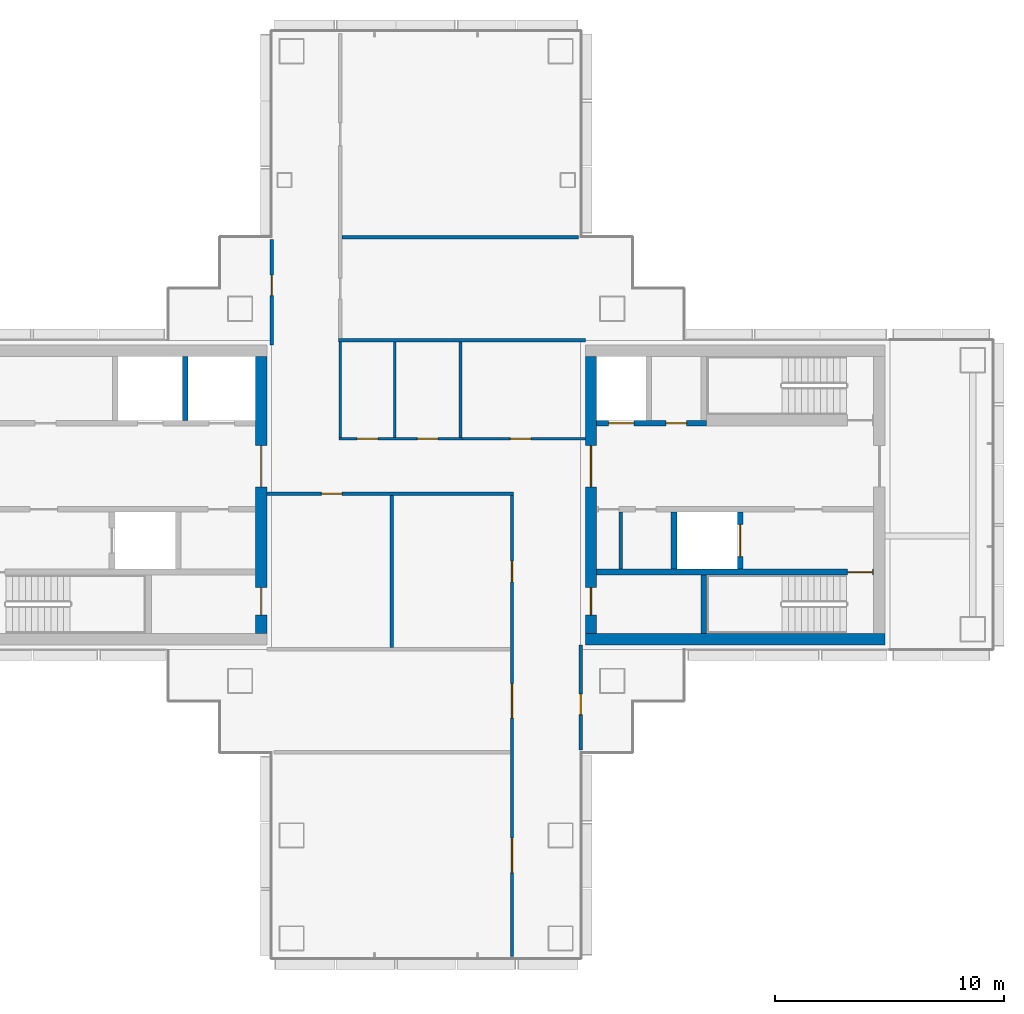
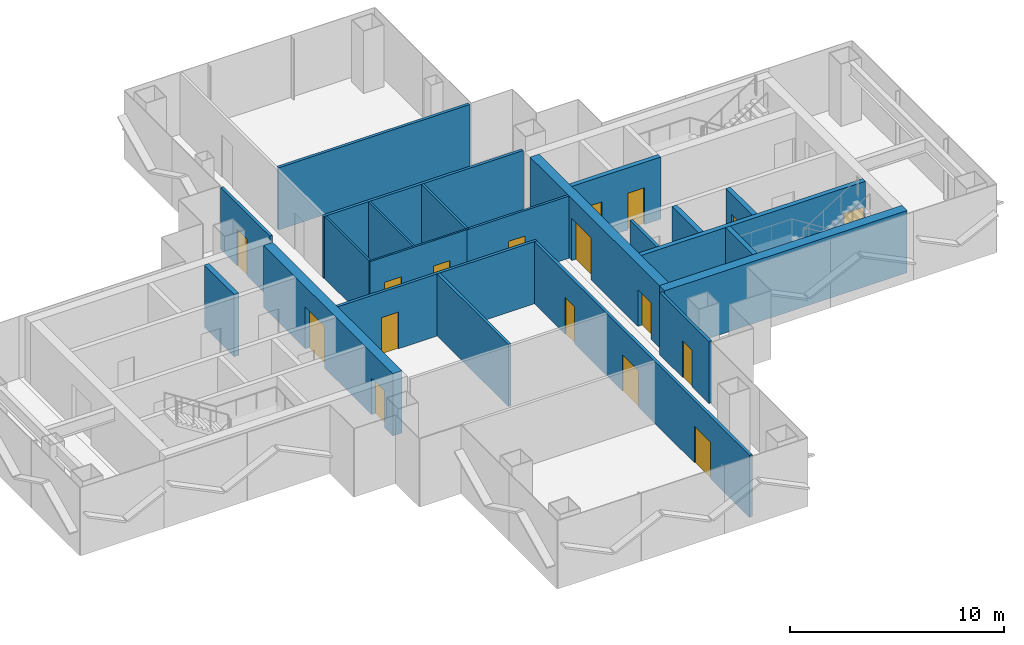
# One storey, part 11 of 16: 22 walls, 17 doors, 17 openings.
"""IFC4 building model written with IfcOpenShell, lengths in metres."""

import ifcopenshell
import ifcopenshell.guid

model = None  # the IFC model being written
_history = None  # IfcOwnerHistory: only IFC2X3 demands one
_inside = {}  # id of a spatial element -> (the spatial element, [elements in it])
_under = {}  # id of a project, library or spatial element -> (it, [spatial elements below it])
_declared = {}  # id of a project -> (the project, [libraries it declares])
_typed = {}  # id of a type object -> (the type object, [elements of that type])
_made_of = {}  # id of a material, layer set ... -> (it, [elements and type objects made of it])


def new_model(schema):
    """Start an empty IFC model of exactly this schema.

    Asked for "IFC4X3", IfcOpenShell would pick the latest addendum, in which some entities
    have other attributes; the version numbers below select the first issue.
    IFC2X3 requires an IfcOwnerHistory on every rooted entity: one is made here for all.
    """
    global model, _history
    if schema == "IFC4X3":
        model = ifcopenshell.file(schema_version=(4, 3, 0, 0))
    else:
        model = ifcopenshell.file(schema=schema)
    _inside.clear()
    _under.clear()
    _declared.clear()
    _typed.clear()
    _made_of.clear()
    _history = None
    if model.schema == "IFC2X3":
        org = make("IfcOrganization", Name="unknown")
        user = make(
            "IfcPersonAndOrganization",
            ThePerson=make("IfcPerson", FamilyName="unknown"),
            TheOrganization=org,
        )
        app = make(
            "IfcApplication",
            ApplicationDeveloper=org,
            Version="unknown",
            ApplicationFullName="unknown",
            ApplicationIdentifier="unknown",
        )
        _history = make(
            "IfcOwnerHistory",
            OwningUser=user,
            OwningApplication=app,
            ChangeAction="ADDED",
            CreationDate=0,
        )
    return model


def make(cls, **values):
    """One entity of the class cls with the attributes given. An attribute that is None is left unset."""
    return model.create_entity(
        cls, **{name: value for name, value in values.items() if value is not None}
    )


def rooted(cls, **values):
    """An entity with a GlobalId (a new one), such as an element, a storey or a relation."""
    return make(cls, GlobalId=ifcopenshell.guid.new(), OwnerHistory=_history, **values)


def si_unit(unit_type, name, prefix=None):
    """IfcSIUnit, for example si_unit("LENGTHUNIT", "METRE", prefix="MILLI")."""
    return make("IfcSIUnit", UnitType=unit_type, Prefix=prefix, Name=name)


def assignment(units):
    """IfcUnitAssignment: the units of a project."""
    return None if units is None else make("IfcUnitAssignment", Units=units)


def point(xyz):
    """IfcCartesianPoint."""
    return None if xyz is None else make("IfcCartesianPoint", Coordinates=xyz)


def direction(xyz):
    """IfcDirection."""
    return None if xyz is None else make("IfcDirection", DirectionRatios=xyz)


def frame(location, z_axis=None, x_axis=None):
    """IfcAxis2Placement3D, a coordinate frame: its origin and axes. An axis left out is left unset."""
    return make(
        "IfcAxis2Placement3D",
        Location=point(location),
        Axis=direction(z_axis),
        RefDirection=direction(x_axis),
    )


def frame_2d(location, x_axis=None):
    """IfcAxis2Placement2D, a coordinate frame in the plane: its origin and x axis."""
    return make(
        "IfcAxis2Placement2D", Location=point(location), RefDirection=direction(x_axis)
    )


def origin():
    """The frame at (0, 0, 0) with its axes left unset."""
    return frame((0.0, 0.0, 0.0))


def place(relative_to, where):
    """IfcLocalPlacement: puts the frame where relative to a parent placement (None: the world)."""
    return make(
        "IfcLocalPlacement", PlacementRelTo=relative_to, RelativePlacement=where
    )


def context(
    kind, dimensions, precision=None, world=None, true_north=None, identifier=None
):
    """IfcGeometricRepresentationContext, for example the 3D "Model" context."""
    return make(
        "IfcGeometricRepresentationContext",
        ContextIdentifier=identifier,
        ContextType=kind,
        CoordinateSpaceDimension=dimensions,
        Precision=precision,
        WorldCoordinateSystem=world,
        TrueNorth=true_north,
    )


def subcontext(parent, identifier, kind, view, scale=None):
    """IfcGeometricRepresentationSubContext, for example "Body" below "Model"."""
    return make(
        "IfcGeometricRepresentationSubContext",
        ContextIdentifier=identifier,
        ContextType=kind,
        ParentContext=parent,
        TargetScale=scale,
        TargetView=view,
    )


def project(units=None, contexts=None):
    """IfcProject with its units and contexts."""
    return rooted(
        "IfcProject",
        Name="project",
        RepresentationContexts=contexts,
        UnitsInContext=assignment(units),
    )


def spatial(cls, under=None, at=None, **own):
    """A site, building, storey or space (cls), placed at a placement, below another one or the project."""
    s = rooted(cls, ObjectPlacement=at, **own)
    if under is not None:
        _under.setdefault(under.id(), (under, []))[1].append(s)
    return s


def profile(cls, at=None, kind="AREA", **sizes):
    """A parametric profile (cls). Its sizes go by their IFC names, for example OverallWidth=200.0."""
    return make(cls, ProfileType=kind, Position=at, **sizes)


def rectangle(**sizes):
    """IfcRectangleProfileDef."""
    return profile("IfcRectangleProfileDef", **sizes)


def extrude(swept, where, along, depth):
    """IfcExtrudedAreaSolid: the profile swept, set in the frame where, extruded along a direction by depth."""
    return make(
        "IfcExtrudedAreaSolid",
        SweptArea=swept,
        Position=where,
        ExtrudedDirection=direction(along),
        Depth=depth,
    )


def shape(context_of_items, identifier, shape_type, items):
    """IfcShapeRepresentation: the items that make up one representation, for example the "Body"."""
    return make(
        "IfcShapeRepresentation",
        ContextOfItems=context_of_items,
        RepresentationIdentifier=identifier,
        RepresentationType=shape_type,
        Items=items,
    )


def material(Name=None, Category=None):
    """IfcMaterial."""
    return make("IfcMaterial", Name=Name, Category=Category)


def layer(
    of_material, thickness, ventilated=None, Name=None, Category=None, Priority=None
):
    """IfcMaterialLayer: one layer of a wall or slab, of a material (None: an air gap)."""
    return make(
        "IfcMaterialLayer",
        Material=of_material,
        LayerThickness=thickness,
        IsVentilated=ventilated,
        Name=Name,
        Category=Category,
        Priority=Priority,
    )


def layer_set(layers, Name=None):
    """IfcMaterialLayerSet."""
    return make("IfcMaterialLayerSet", MaterialLayers=layers, LayerSetName=Name)


def made_of(thing, what):
    """Note that an element or type object is made of a material, layer set ...; save() writes the relation."""
    if what is not None:
        _made_of.setdefault(what.id(), (what, []))[1].append(thing)
    return thing


def type_object(cls, material=None, **own):
    """A type object (cls), such as IfcWallType, which elements share."""
    return made_of(rooted(cls, **own), material)


def element(
    cls,
    number,
    at=None,
    inside=None,
    cuts=None,
    type_object=None,
    material=None,
    context=None,
    identifier="Body",
    shape_type=None,
    held_by="IfcProductDefinitionShape",
    body=None,
    shapes=None,
    **own,
):
    """One element of the class cls, such as IfcWall. Its Tag is "e" and its number.

    at: its placement. inside: the storey or other place that contains it. cuts: it is an
    opening in that element (IfcRelVoidsElement). A single representation is given by context,
    identifier, shape_type and body (its items); several are given by shapes. held_by: the class
    of the entity that holds the representations. save() writes the other relations.
    """
    e = rooted(cls, Tag="e%d" % number, ObjectPlacement=at, **own)
    if body is not None:
        shapes = [shape(context, identifier, shape_type, body)]
    if shapes is not None:
        e.Representation = make(held_by, Representations=shapes)
    if inside is not None:
        _inside.setdefault(inside.id(), (inside, []))[1].append(e)
    if cuts is not None:
        rooted(
            "IfcRelVoidsElement", RelatingBuildingElement=cuts, RelatedOpeningElement=e
        )
    if type_object is not None:
        _typed.setdefault(type_object.id(), (type_object, []))[1].append(e)
    return made_of(e, material)


def fill(opening, filler):
    """IfcRelFillsElement: the door or window that sits in an opening."""
    return rooted(
        "IfcRelFillsElement",
        RelatingOpeningElement=opening,
        RelatedBuildingElement=filler,
    )


def aggregate(whole, parts):
    """IfcRelAggregates: a whole, such as a stair, and the parts it consists of."""
    return rooted("IfcRelAggregates", RelatingObject=whole, RelatedObjects=parts)


def save(model, path):
    """Write the relations noted so far, then the file.

    IfcRelAggregates (storeys below a building ...), IfcRelContainedInSpatialStructure (elements
    in a storey), IfcRelDefinesByType, IfcRelAssociatesMaterial and IfcRelDeclares: one each for
    every whole, place, type object, material and project.
    """
    for whole, parts in _under.values():
        aggregate(whole, parts)
    for where, things in _inside.values():
        rooted(
            "IfcRelContainedInSpatialStructure",
            RelatedElements=things,
            RelatingStructure=where,
        )
    for kind, things in _typed.values():
        rooted("IfcRelDefinesByType", RelatedObjects=things, RelatingType=kind)
    for what, things in _made_of.values():
        rooted("IfcRelAssociatesMaterial", RelatedObjects=things, RelatingMaterial=what)
    for by, libraries in _declared.values():
        rooted("IfcRelDeclares", RelatingContext=by, RelatedDefinitions=libraries)
    model.write(path)


model = new_model("IFC4")

# Units and contexts
model_context = context("Model", 3, precision=1e-05, world=origin(), true_north=direction((0.0, 1.0)))
body_context = subcontext(model_context, "Body", "Model", "MODEL_VIEW")
ifc_project = project(units=[si_unit("LENGTHUNIT", "METRE"), si_unit("AREAUNIT", "SQUARE_METRE"), si_unit("VOLUMEUNIT", "CUBIC_METRE"), si_unit("PLANEANGLEUNIT", "RADIAN"), si_unit("MASSUNIT", "GRAM", prefix="KILO")], contexts=[model_context])

# Site, building, storey
site_placement = place(None, origin())
site = spatial("IfcSite", under=ifc_project, at=site_placement, CompositionType="ELEMENT")
building_placement = place(site_placement, origin())
building = spatial("IfcBuilding", under=site, at=building_placement, Name="Shamsa Quay Exchange Towers", CompositionType="ELEMENT")
storey_placement = place(building_placement, frame((0.0, 0.0, 166.199951171875)))
storey = spatial("IfcBuildingStorey", under=building, at=storey_placement, Name="L39", CompositionType="ELEMENT", Elevation=166.199951171875)

# Wall, openings, doors
ifc_material_1 = material(Name="Concrete C60/75", Category="concrete")
ifc_layer_1 = layer(ifc_material_1, 0.5)
ifc_layer_set_1 = layer_set([ifc_layer_1], Name="CORE WALL 500 C60/75")
wall_type_1 = type_object("IfcWallType", Name="CORE WALL 500 C60/75", PredefinedType="SHEAR", material=ifc_layer_set_1)
wall_1_placement = place(storey_placement, frame((26.550048828125, 6.050048828125, 0.0), z_axis=(0.0, 0.0, 1.0), x_axis=(0.0, -1.0, 0.0)))
wall_1 = element("IfcWall", 1, at=wall_1_placement, inside=storey, type_object=wall_type_1, Name="Core wall T2A-R18-PB", PredefinedType="SHEAR", context=body_context, shape_type="SweptSolid", body=[
    extrude(rectangle(XDim=12.10009765625, YDim=0.5, at=frame_2d((6.050048828125, 0.0))), origin(), (0.0, 0.0, 1.0), 3.550048828125),
])
opening_1_placement = place(wall_1_placement, frame((10.10009765625, 0.0, 0.0)))
opening_1 = element("IfcOpeningElement", 2, at=opening_1_placement, cuts=wall_1, Name="Opening T2A-R18-RD02", PredefinedType="OPENING", context=body_context, shape_type="SweptSolid", body=[
    extrude(rectangle(XDim=1.199951171875, YDim=2.10009765625, at=frame_2d((0.60009765625, 1.050048828125))), frame((0.0, 0.260009765625, 0.0), z_axis=(0.0, -1.0, 0.0), x_axis=(1.0, 0.0, 0.0)), (0.0, 0.0, 1.0), 0.52001953125),
])
opening_2_placement = place(wall_1_placement, frame((3.89990234375, 0.0, 0.0)))
opening_2 = element("IfcOpeningElement", 3, at=opening_2_placement, cuts=wall_1, Name="Opening T2A-R18-LBD03", PredefinedType="OPENING", context=body_context, shape_type="SweptSolid", body=[
    extrude(rectangle(XDim=1.800048828125, YDim=2.39990234375, at=frame_2d((0.89990234375, 1.199951171875))), frame((0.0, 0.260009765625, 0.0), z_axis=(0.0, -1.0, 0.0), x_axis=(1.0, 0.0, 0.0)), (0.0, 0.0, 1.0), 0.52001953125),
])
ifc_material_2 = material(Name="Steel, fire rated", Category="steel")
door_type_1 = type_object("IfcDoorType", Name="LIFT LOBBY DOOR PAIR 1800", OperationType="DOUBLE_DOOR_SINGLE_SWING", PredefinedType="DOOR", material=ifc_material_2)
door_1_placement = place(opening_2_placement, origin())
door_1 = element("IfcDoor", 4, at=door_1_placement, inside=storey, type_object=door_type_1, Name="T2A-R18-LBD03", OperationType="DOUBLE_DOOR_SINGLE_SWING", OverallHeight=2.39990234375, OverallWidth=1.800048828125, PredefinedType="DOOR", context=body_context, shape_type="SweptSolid", body=[
    extrude(rectangle(XDim=1.800048828125, YDim=2.39990234375, at=frame_2d((0.89990234375, 1.199951171875))), frame((0.0, 0.02490234375, 0.0), z_axis=(0.0, -1.0, 0.0), x_axis=(1.0, 0.0, 0.0)), (0.0, 0.0, 1.0), 0.050048828125),
])
fill(opening_2, door_1)
door_type_2 = type_object("IfcDoorType", Name="RISER ACCESS DOOR 1200", OperationType="SINGLE_SWING_LEFT", PredefinedType="DOOR", material=ifc_material_2)
door_2_placement = place(opening_1_placement, origin())
door_2 = element("IfcDoor", 5, at=door_2_placement, inside=storey, type_object=door_type_2, Name="T2A-R18-RD02", OperationType="SINGLE_SWING_RIGHT", OverallHeight=2.10009765625, OverallWidth=1.199951171875, PredefinedType="DOOR", context=body_context, shape_type="SweptSolid", body=[
    extrude(rectangle(XDim=1.199951171875, YDim=2.10009765625, at=frame_2d((0.60009765625, 1.050048828125))), frame((0.0, 0.02490234375, 0.0), z_axis=(0.0, -1.0, 0.0), x_axis=(1.0, 0.0, 0.0)), (0.0, 0.0, 1.0), 0.050048828125),
])
fill(opening_1, door_2)

# Wall
wall_2_placement = place(storey_placement, frame((53.800048828125, -6.300048828125, 0.0), z_axis=(0.0, 0.0, 1.0), x_axis=(-1.0, 0.0, 0.0)))
element("IfcWall", 6, at=wall_2_placement, inside=storey, type_object=wall_type_1, Name="Core wall T2B-R18-PS", PredefinedType="SHEAR", context=body_context, shape_type="SweptSolid", body=[
    extrude(rectangle(XDim=13.10009765625, YDim=0.5, at=frame_2d((6.550048828125, 0.0))), origin(), (0.0, 0.0, 1.0), 3.550048828125),
])

# Wall, openings, doors
wall_3_placement = place(storey_placement, frame((40.949951171875, -6.050048828125, 0.0), z_axis=(0.0, 0.0, 1.0), x_axis=(0.0, 1.0, 0.0)))
wall_3 = element("IfcWall", 7, at=wall_3_placement, inside=storey, type_object=wall_type_1, Name="Core wall T2B-R18-PB", PredefinedType="SHEAR", context=body_context, shape_type="SweptSolid", body=[
    extrude(rectangle(XDim=12.10009765625, YDim=0.5, at=frame_2d((6.050048828125, 0.0))), origin(), (0.0, 0.0, 1.0), 3.550048828125),
])
opening_3_placement = place(wall_3_placement, frame((0.800048828125, 0.0, 0.0)))
opening_3 = element("IfcOpeningElement", 8, at=opening_3_placement, cuts=wall_3, Name="Opening T2B-R18-RD02", PredefinedType="OPENING", context=body_context, shape_type="SweptSolid", body=[
    extrude(rectangle(XDim=1.199951171875, YDim=2.10009765625, at=frame_2d((0.60009765625, 1.050048828125))), frame((0.0, 0.260009765625, 0.0), z_axis=(0.0, -1.0, 0.0), x_axis=(1.0, 0.0, 0.0)), (0.0, 0.0, 1.0), 0.52001953125),
])
opening_4_placement = place(wall_3_placement, frame((6.39990234375, 0.0, 0.0)))
opening_4 = element("IfcOpeningElement", 9, at=opening_4_placement, cuts=wall_3, Name="Opening T2B-R18-LBD03", PredefinedType="OPENING", context=body_context, shape_type="SweptSolid", body=[
    extrude(rectangle(XDim=1.800048828125, YDim=2.39990234375, at=frame_2d((0.89990234375, 1.199951171875))), frame((0.0, 0.260009765625, 0.0), z_axis=(0.0, -1.0, 0.0), x_axis=(1.0, 0.0, 0.0)), (0.0, 0.0, 1.0), 0.52001953125),
])
door_3_placement = place(opening_4_placement, origin())
door_3 = element("IfcDoor", 10, at=door_3_placement, inside=storey, type_object=door_type_1, Name="T2B-R18-LBD03", OperationType="DOUBLE_DOOR_SINGLE_SWING", OverallHeight=2.39990234375, OverallWidth=1.800048828125, PredefinedType="DOOR", context=body_context, shape_type="SweptSolid", body=[
    extrude(rectangle(XDim=1.800048828125, YDim=2.39990234375, at=frame_2d((0.89990234375, 1.199951171875))), frame((0.0, 0.02490234375, 0.0), z_axis=(0.0, -1.0, 0.0), x_axis=(1.0, 0.0, 0.0)), (0.0, 0.0, 1.0), 0.050048828125),
])
fill(opening_4, door_3)
door_4_placement = place(opening_3_placement, origin())
door_4 = element("IfcDoor", 11, at=door_4_placement, inside=storey, type_object=door_type_2, Name="T2B-R18-RD02", OperationType="SINGLE_SWING_LEFT", OverallHeight=2.10009765625, OverallWidth=1.199951171875, PredefinedType="DOOR", context=body_context, shape_type="SweptSolid", body=[
    extrude(rectangle(XDim=1.199951171875, YDim=2.10009765625, at=frame_2d((0.60009765625, 1.050048828125))), frame((0.0, 0.02490234375, 0.0), z_axis=(0.0, -1.0, 0.0), x_axis=(1.0, 0.0, 0.0)), (0.0, 0.0, 1.0), 0.050048828125),
])
fill(opening_3, door_4)

# Wall
ifc_material_3 = material(Name="Gypsum board on steel studs, EI 60", Category="steel")
ifc_layer_2 = layer(ifc_material_3, 0.14990234375)
ifc_layer_set_2 = layer_set([ifc_layer_2], Name="FIRE PARTITION 150")
wall_type_2 = type_object("IfcWallType", Name="FIRE PARTITION 150", PredefinedType="PARTITIONING", material=ifc_layer_set_2)
wall_4_placement = place(storey_placement, frame((42.25, -3.25, 0.0), z_axis=(0.0, 0.0, 1.0), x_axis=(0.0, 1.0, 0.0)))
element("IfcWall", 12, at=wall_4_placement, inside=storey, type_object=wall_type_2, Name="Partition T2B-R18-EC0", PredefinedType="PARTITIONING", context=body_context, shape_type="SweptSolid", body=[
    extrude(rectangle(XDim=2.5, YDim=0.14990234375, at=frame_2d((1.25, 0.0))), origin(), (0.0, 0.0, 1.0), 3.550048828125),
])

# Wall, opening, door
ifc_material_4 = material(Name="Laminated fire-resisting glass in a metal frame", Category="glass")
ifc_layer_3 = layer(ifc_material_4, 0.125)
ifc_layer_set_3 = layer_set([ifc_layer_3], Name="Glazed partition 125 mm EI 60")
wall_type_3 = type_object("IfcWallType", Name="Glazed partition 125 mm EI 60", PredefinedType="PARTITIONING", material=ifc_layer_set_3)
wall_5_placement = place(storey_placement, frame((35.1875, 2.4501953125, 0.0)))
wall_5 = element("IfcWall", 13, at=wall_5_placement, inside=storey, type_object=wall_type_3, Name="Partition T2-R18-W02", PredefinedType="PARTITIONING", context=body_context, shape_type="SweptSolid", body=[
    extrude(rectangle(XDim=5.512451171875, YDim=0.125, at=frame_2d((2.75634765625, 0.0))), origin(), (0.0, 0.0, 1.0), 3.550048828125),
])
opening_5_placement = place(wall_5_placement, frame((2.237548828125, 0.0, 0.0)))
opening_5 = element("IfcOpeningElement", 14, at=opening_5_placement, cuts=wall_5, Name="Opening T2-R18-D02", PredefinedType="OPENING", context=body_context, shape_type="SweptSolid", body=[
    extrude(rectangle(XDim=0.89990234375, YDim=2.10009765625, at=frame_2d((0.449951171875, 1.050048828125))), frame((0.0, 0.072509765625, 0.0), z_axis=(0.0, -1.0, 0.0), x_axis=(1.0, 0.0, 0.0)), (0.0, 0.0, 1.0), 0.14501953125),
])
ifc_material_5 = material(Name="Timber door leaf in a metal frame", Category="wood")
door_type_3 = type_object("IfcDoorType", Name="Door 900x2100 FD30S", OperationType="NOTDEFINED", PredefinedType="DOOR", material=ifc_material_5)
door_5_placement = place(opening_5_placement, origin())
door_5 = element("IfcDoor", 15, at=door_5_placement, inside=storey, type_object=door_type_3, Name="Door T2-R18-D02", OperationType="SINGLE_SWING_RIGHT", OverallHeight=2.10009765625, OverallWidth=0.89990234375, PredefinedType="DOOR", context=body_context, shape_type="SweptSolid", body=[
    extrude(rectangle(XDim=0.89990234375, YDim=2.10009765625, at=frame_2d((0.449951171875, 1.050048828125))), frame((0.0, 0.02490234375, 0.0), z_axis=(0.0, -1.0, 0.0), x_axis=(1.0, 0.0, 0.0)), (0.0, 0.0, 1.0), 0.050048828125),
])
fill(opening_5, door_5)

# Wall
wall_6_placement = place(storey_placement, frame((35.25, 6.675048828125, 0.0), z_axis=(0.0, 0.0, 1.0), x_axis=(0.0, -1.0, 0.0)))
element("IfcWall", 16, at=wall_6_placement, inside=storey, type_object=wall_type_3, Name="Partition T2-R18-W11", PredefinedType="PARTITIONING", context=body_context, shape_type="SweptSolid", body=[
    extrude(rectangle(XDim=4.162353515625, YDim=0.125, at=frame_2d((2.0810546875, 0.0))), origin(), (0.0, 0.0, 1.0), 3.550048828125),
])

# Wall, openings, doors
ifc_material_6 = material(Name="Gypsum board partition on metal studs")
ifc_layer_4 = layer(ifc_material_6, 0.10009765625)
ifc_layer_set_4 = layer_set([ifc_layer_4], Name="Partition 100 mm NOT RATED")
wall_type_4 = type_object("IfcWallType", Name="Partition 100 mm NOT RATED", PredefinedType="PARTITIONING", material=ifc_layer_set_4)
wall_7_placement = place(storey_placement, frame((29.949951171875, 2.4501953125, 0.0)))
wall_7 = element("IfcWall", 17, at=wall_7_placement, inside=storey, type_object=wall_type_4, Name="Partition T2-R18-W03", PredefinedType="PARTITIONING", context=body_context, shape_type="SweptSolid", body=[
    extrude(rectangle(XDim=5.362548828125, YDim=0.10009765625, at=frame_2d((2.68115234375, 0.0))), origin(), (0.0, 0.0, 1.0), 3.550048828125),
])
opening_6_placement = place(wall_7_placement, frame((3.41259765625, 0.0, 0.0)))
opening_6 = element("IfcOpeningElement", 18, at=opening_6_placement, cuts=wall_7, Name="Opening T2-R18-D06", PredefinedType="OPENING", context=body_context, shape_type="SweptSolid", body=[
    extrude(rectangle(XDim=0.89990234375, YDim=2.10009765625, at=frame_2d((0.449951171875, 1.050048828125))), frame((0.0, 0.06005859375, 0.0), z_axis=(0.0, -1.0, 0.0), x_axis=(1.0, 0.0, 0.0)), (0.0, 0.0, 1.0), 0.1201171875),
])
opening_7_placement = place(wall_7_placement, frame((0.78759765625, 0.0, 0.0)))
opening_7 = element("IfcOpeningElement", 19, at=opening_7_placement, cuts=wall_7, Name="Opening T2-R18-D07", PredefinedType="OPENING", context=body_context, shape_type="SweptSolid", body=[
    extrude(rectangle(XDim=0.89990234375, YDim=2.10009765625, at=frame_2d((0.449951171875, 1.050048828125))), frame((0.0, 0.06005859375, 0.0), z_axis=(0.0, -1.0, 0.0), x_axis=(1.0, 0.0, 0.0)), (0.0, 0.0, 1.0), 0.1201171875),
])
door_type_4 = type_object("IfcDoorType", Name="Door 900x2100 NOT RATED", OperationType="NOTDEFINED", PredefinedType="DOOR", material=ifc_material_5)
door_6_placement = place(opening_6_placement, origin())
door_6 = element("IfcDoor", 20, at=door_6_placement, inside=storey, type_object=door_type_4, Name="Door T2-R18-D06", OperationType="SINGLE_SWING_RIGHT", OverallHeight=2.10009765625, OverallWidth=0.89990234375, PredefinedType="DOOR", context=body_context, shape_type="SweptSolid", body=[
    extrude(rectangle(XDim=0.89990234375, YDim=2.10009765625, at=frame_2d((0.449951171875, 1.050048828125))), frame((0.0, 0.02490234375, 0.0), z_axis=(0.0, -1.0, 0.0), x_axis=(1.0, 0.0, 0.0)), (0.0, 0.0, 1.0), 0.050048828125),
])
fill(opening_6, door_6)
door_7_placement = place(opening_7_placement, origin())
door_7 = element("IfcDoor", 21, at=door_7_placement, inside=storey, type_object=door_type_4, Name="Door T2-R18-D07", OperationType="SINGLE_SWING_RIGHT", OverallHeight=2.10009765625, OverallWidth=0.89990234375, PredefinedType="DOOR", context=body_context, shape_type="SweptSolid", body=[
    extrude(rectangle(XDim=0.89990234375, YDim=2.10009765625, at=frame_2d((0.449951171875, 1.050048828125))), frame((0.0, 0.02490234375, 0.0), z_axis=(0.0, -1.0, 0.0), x_axis=(1.0, 0.0, 0.0)), (0.0, 0.0, 1.0), 0.050048828125),
])
fill(opening_7, door_7)

# Walls
for number, where, z_axis, x_axis, name in (
    (22, (30.0, 6.675048828125, 0.0), (0.0, 0.0, 1.0), (0.0, -1.0, 0.0), "Partition T2-R18-W04"),
    (23, (32.375, 6.675048828125, 0.0), (0.0, 0.0, 1.0), (0.0, -1.0, 0.0), "Partition T2-R18-W12"),
):
    element("IfcWall", number, at=place(storey_placement, frame(where, z_axis=z_axis, x_axis=x_axis)), inside=storey, type_object=wall_type_4, Name=name, PredefinedType="PARTITIONING", context=body_context, shape_type="SweptSolid", body=[
        extrude(rectangle(XDim=4.1748046875, YDim=0.10009765625, at=frame_2d((2.08740234375, 0.0))), origin(), (0.0, 0.0, 1.0), 3.550048828125),
    ])

# Wall, openings, doors
ifc_layer_5 = layer(ifc_material_6, 0.14990234375)
ifc_layer_set_5 = layer_set([ifc_layer_5], Name="Partition 150 mm EI 60")
wall_type_5 = type_object("IfcWallType", Name="Partition 150 mm EI 60", PredefinedType="PARTITIONING", material=ifc_layer_set_5)
wall_8_placement = place(storey_placement, frame((37.5, -20.155029296875, 0.0), z_axis=(0.0, 0.0, 1.0), x_axis=(0.0, 1.0, 0.0)))
wall_8 = element("IfcWall", 24, at=wall_8_placement, inside=storey, type_object=wall_type_5, Name="Partition T2-R18-W05", PredefinedType="PARTITIONING", context=body_context, shape_type="SweptSolid", body=[
    extrude(rectangle(XDim=20.1298828125, YDim=0.14990234375, at=frame_2d((10.06494140625, 0.0))), origin(), (0.0, 0.0, 1.0), 3.550048828125),
])
opening_8_placement = place(wall_8_placement, frame((16.35498046875, 0.0, 0.0)))
opening_8 = element("IfcOpeningElement", 25, at=opening_8_placement, cuts=wall_8, Name="Opening T2-R18-D03", PredefinedType="OPENING", context=body_context, shape_type="SweptSolid", body=[
    extrude(rectangle(XDim=0.89990234375, YDim=2.10009765625, at=frame_2d((0.449951171875, 1.050048828125))), frame((0.0, 0.0849609375, 0.0), z_axis=(0.0, -1.0, 0.0), x_axis=(1.0, 0.0, 0.0)), (0.0, 0.0, 1.0), 0.169921875),
])
opening_9_placement = place(wall_8_placement, frame((10.405029296875, 0.0, 0.0)))
opening_9 = element("IfcOpeningElement", 26, at=opening_9_placement, cuts=wall_8, Name="Opening T2-R18-D04", PredefinedType="OPENING", context=body_context, shape_type="SweptSolid", body=[
    extrude(rectangle(XDim=1.5, YDim=2.10009765625, at=frame_2d((0.75, 1.050048828125))), frame((0.0, 0.0849609375, 0.0), z_axis=(0.0, -1.0, 0.0), x_axis=(1.0, 0.0, 0.0)), (0.0, 0.0, 1.0), 0.169921875),
])
opening_10_placement = place(wall_8_placement, frame((3.655029296875, 0.0, 0.0)))
opening_10 = element("IfcOpeningElement", 27, at=opening_10_placement, cuts=wall_8, Name="Opening T2-R18-D05", PredefinedType="OPENING", context=body_context, shape_type="SweptSolid", body=[
    extrude(rectangle(XDim=1.5, YDim=2.10009765625, at=frame_2d((0.75, 1.050048828125))), frame((0.0, 0.0849609375, 0.0), z_axis=(0.0, -1.0, 0.0), x_axis=(1.0, 0.0, 0.0)), (0.0, 0.0, 1.0), 0.169921875),
])
door_type_5 = type_object("IfcDoorType", Name="Door 1500x2100 FD30S pair", OperationType="NOTDEFINED", PredefinedType="DOOR", material=ifc_material_5)
door_8_placement = place(opening_9_placement, origin())
door_8 = element("IfcDoor", 28, at=door_8_placement, inside=storey, type_object=door_type_5, Name="Door T2-R18-D04", OperationType="DOUBLE_DOOR_SINGLE_SWING", OverallHeight=2.10009765625, OverallWidth=1.5, PredefinedType="DOOR", context=body_context, shape_type="SweptSolid", body=[
    extrude(rectangle(XDim=1.5, YDim=2.10009765625, at=frame_2d((0.75, 1.050048828125))), frame((0.0, 0.02490234375, 0.0), z_axis=(0.0, -1.0, 0.0), x_axis=(1.0, 0.0, 0.0)), (0.0, 0.0, 1.0), 0.050048828125),
])
fill(opening_9, door_8)
door_9_placement = place(opening_10_placement, origin())
door_9 = element("IfcDoor", 29, at=door_9_placement, inside=storey, type_object=door_type_5, Name="Door T2-R18-D05", OperationType="DOUBLE_DOOR_SINGLE_SWING", OverallHeight=2.10009765625, OverallWidth=1.5, PredefinedType="DOOR", context=body_context, shape_type="SweptSolid", body=[
    extrude(rectangle(XDim=1.5, YDim=2.10009765625, at=frame_2d((0.75, 1.050048828125))), frame((0.0, 0.02490234375, 0.0), z_axis=(0.0, -1.0, 0.0), x_axis=(1.0, 0.0, 0.0)), (0.0, 0.0, 1.0), 0.050048828125),
])
fill(opening_10, door_9)
door_10_placement = place(opening_8_placement, origin())
door_10 = element("IfcDoor", 30, at=door_10_placement, inside=storey, type_object=door_type_3, Name="Door T2-R18-D03", OperationType="SINGLE_SWING_RIGHT", OverallHeight=2.10009765625, OverallWidth=0.89990234375, PredefinedType="DOOR", context=body_context, shape_type="SweptSolid", body=[
    extrude(rectangle(XDim=0.89990234375, YDim=2.10009765625, at=frame_2d((0.449951171875, 1.050048828125))), frame((0.0, 0.02490234375, 0.0), z_axis=(0.0, -1.0, 0.0), x_axis=(1.0, 0.0, 0.0)), (0.0, 0.0, 1.0), 0.050048828125),
])
fill(opening_8, door_10)

# Wall, opening, door
wall_9_placement = place(storey_placement, frame((37.574951171875, 0.0498046875, 0.0), z_axis=(0.0, 0.0, 1.0), x_axis=(-1.0, 0.0, 0.0)))
wall_9 = element("IfcWall", 31, at=wall_9_placement, inside=storey, type_object=wall_type_5, Name="Partition T2-R18-W06", PredefinedType="PARTITIONING", context=body_context, shape_type="SweptSolid", body=[
    extrude(rectangle(XDim=10.77490234375, YDim=0.14990234375, at=frame_2d((5.387451171875, 0.0))), origin(), (0.0, 0.0, 1.0), 3.550048828125),
])
opening_11_placement = place(wall_9_placement, frame((7.5, 0.0, 0.0)))
opening_11 = element("IfcOpeningElement", 32, at=opening_11_placement, cuts=wall_9, Name="Opening T2-R18-D10", PredefinedType="OPENING", context=body_context, shape_type="SweptSolid", body=[
    extrude(rectangle(XDim=0.89990234375, YDim=2.10009765625, at=frame_2d((0.449951171875, 1.050048828125))), frame((0.0, 0.0849609375, 0.0), z_axis=(0.0, -1.0, 0.0), x_axis=(1.0, 0.0, 0.0)), (0.0, 0.0, 1.0), 0.169921875),
])
door_11_placement = place(opening_11_placement, origin())
door_11 = element("IfcDoor", 33, at=door_11_placement, inside=storey, type_object=door_type_3, Name="Door T2-R18-D10", OperationType="SINGLE_SWING_RIGHT", OverallHeight=2.10009765625, OverallWidth=0.89990234375, PredefinedType="DOOR", context=body_context, shape_type="SweptSolid", body=[
    extrude(rectangle(XDim=0.89990234375, YDim=2.10009765625, at=frame_2d((0.449951171875, 1.050048828125))), frame((0.0, 0.02490234375, 0.0), z_axis=(0.0, -1.0, 0.0), x_axis=(1.0, 0.0, 0.0)), (0.0, 0.0, 1.0), 0.050048828125),
])
fill(opening_11, door_11)

wall_10_placement = place(storey_placement, frame((40.5, -6.550048828125, 0.0), z_axis=(0.0, 0.0, 1.0), x_axis=(0.0, -1.0, 0.0)))
wall_10 = element("IfcWall", 34, at=wall_10_placement, inside=storey, type_object=wall_type_5, Name="Partition T2-R18-W07", PredefinedType="PARTITIONING", context=body_context, shape_type="SweptSolid", body=[
    extrude(rectangle(XDim=4.60498046875, YDim=0.14990234375, at=frame_2d((2.302490234375, 0.0))), origin(), (0.0, 0.0, 1.0), 3.550048828125),
])
opening_12_placement = place(wall_10_placement, frame((2.14990234375, 0.0, 0.0)))
opening_12 = element("IfcOpeningElement", 35, at=opening_12_placement, cuts=wall_10, Name="Opening T2-R18-D01", PredefinedType="OPENING", context=body_context, shape_type="SweptSolid", body=[
    extrude(rectangle(XDim=0.89990234375, YDim=2.10009765625, at=frame_2d((0.449951171875, 1.050048828125))), frame((0.0, 0.0849609375, 0.0), z_axis=(0.0, -1.0, 0.0), x_axis=(1.0, 0.0, 0.0)), (0.0, 0.0, 1.0), 0.169921875),
])
door_12_placement = place(opening_12_placement, origin())
door_12 = element("IfcDoor", 36, at=door_12_placement, inside=storey, type_object=door_type_3, Name="Door T2-R18-D01", OperationType="SINGLE_SWING_LEFT", OverallHeight=2.10009765625, OverallWidth=0.89990234375, PredefinedType="DOOR", context=body_context, shape_type="SweptSolid", body=[
    extrude(rectangle(XDim=0.89990234375, YDim=2.10009765625, at=frame_2d((0.449951171875, 1.050048828125))), frame((0.0, 0.02490234375, 0.0), z_axis=(0.0, -1.0, 0.0), x_axis=(1.0, 0.0, 0.0)), (0.0, 0.0, 1.0), 0.050048828125),
])
fill(opening_12, door_12)

wall_11_placement = place(storey_placement, frame((27.0, 6.550048828125, 0.0), z_axis=(0.0, 0.0, 1.0), x_axis=(0.0, 1.0, 0.0)))
wall_11 = element("IfcWall", 37, at=wall_11_placement, inside=storey, type_object=wall_type_5, Name="Partition T2-R18-W08", PredefinedType="PARTITIONING", context=body_context, shape_type="SweptSolid", body=[
    extrude(rectangle(XDim=4.60498046875, YDim=0.14990234375, at=frame_2d((2.302490234375, 0.0))), origin(), (0.0, 0.0, 1.0), 3.550048828125),
])
opening_13_placement = place(wall_11_placement, frame((2.14990234375, 0.0, 0.0)))
opening_13 = element("IfcOpeningElement", 38, at=opening_13_placement, cuts=wall_11, Name="Opening T2-R18-D11", PredefinedType="OPENING", context=body_context, shape_type="SweptSolid", body=[
    extrude(rectangle(XDim=0.89990234375, YDim=2.10009765625, at=frame_2d((0.449951171875, 1.050048828125))), frame((0.0, 0.0849609375, 0.0), z_axis=(0.0, -1.0, 0.0), x_axis=(1.0, 0.0, 0.0)), (0.0, 0.0, 1.0), 0.169921875),
])
door_13_placement = place(opening_13_placement, origin())
door_13 = element("IfcDoor", 39, at=door_13_placement, inside=storey, type_object=door_type_3, Name="Door T2-R18-D11", OperationType="SINGLE_SWING_RIGHT", OverallHeight=2.10009765625, OverallWidth=0.89990234375, PredefinedType="DOOR", context=body_context, shape_type="SweptSolid", body=[
    extrude(rectangle(XDim=0.89990234375, YDim=2.10009765625, at=frame_2d((0.449951171875, 1.050048828125))), frame((0.0, 0.02490234375, 0.0), z_axis=(0.0, -1.0, 0.0), x_axis=(1.0, 0.0, 0.0)), (0.0, 0.0, 1.0), 0.050048828125),
])
fill(opening_13, door_13)

# Walls
wall_12_placement = place(storey_placement, frame((40.405029296875, 11.25, 0.0), z_axis=(0.0, 0.0, 1.0), x_axis=(-1.0, 0.0, 0.0)))
element("IfcWall", 40, at=wall_12_placement, inside=storey, type_object=wall_type_5, Name="Partition T2-R18-W09", PredefinedType="PARTITIONING", context=body_context, shape_type="SweptSolid", body=[
    extrude(rectangle(XDim=10.330078125, YDim=0.14990234375, at=frame_2d((5.1650390625, 0.0))), origin(), (0.0, 0.0, 1.0), 3.550048828125),
])
wall_13_placement = place(storey_placement, frame((29.925048828125, 6.75, 0.0)))
element("IfcWall", 41, at=wall_13_placement, inside=storey, type_object=wall_type_5, Name="Partition T2-R18-W10", PredefinedType="PARTITIONING", context=body_context, shape_type="SweptSolid", body=[
    extrude(rectangle(XDim=10.77490234375, YDim=0.14990234375, at=frame_2d((5.387451171875, 0.0))), origin(), (0.0, 0.0, 1.0), 3.550048828125),
])
wall_14_placement = place(storey_placement, frame((32.25, -0.025146484375, 0.0), z_axis=(0.0, 0.0, 1.0), x_axis=(0.0, -1.0, 0.0)))
element("IfcWall", 42, at=wall_14_placement, inside=storey, type_object=wall_type_5, Name="Partition T2-R18-W15", PredefinedType="PARTITIONING", context=body_context, shape_type="SweptSolid", body=[
    extrude(rectangle(XDim=6.64990234375, YDim=0.14990234375, at=frame_2d((3.324951171875, 0.0))), origin(), (0.0, 0.0, 1.0), 3.550048828125),
])
ifc_material_7 = material(Name="Concrete C50/60", Category="concrete")
ifc_layer_6 = layer(ifc_material_7, 0.25)
ifc_layer_set_6 = layer_set([ifc_layer_6], Name="SHAFT WALL 250 C50/60")
wall_type_6 = type_object("IfcWallType", Name="SHAFT WALL 250 C50/60", PredefinedType="SHEAR", material=ifc_layer_set_6)
wall_15_placement = place(storey_placement, frame((23.22509765625, 3.25, 0.0), z_axis=(0.0, 0.0, 1.0), x_axis=(0.0, 1.0, 0.0)))
element("IfcWall", 43, at=wall_15_placement, inside=storey, type_object=wall_type_6, Name="Shaft wall T2A-R18-D2", PredefinedType="SHEAR", context=body_context, shape_type="SweptSolid", body=[
    extrude(rectangle(XDim=2.800048828125, YDim=0.25, at=frame_2d((1.39990234375, 0.0))), origin(), (0.0, 0.0, 1.0), 3.550048828125),
])

# Wall, opening, door
wall_16_placement = place(storey_placement, frame((53.300048828125, -3.375, 0.0), z_axis=(0.0, 0.0, 1.0), x_axis=(-1.0, 0.0, 0.0)))
wall_16 = element("IfcWall", 44, at=wall_16_placement, inside=storey, type_object=wall_type_6, Name="Shaft wall T2B-R18-STL", PredefinedType="SHEAR", context=body_context, shape_type="SweptSolid", body=[
    extrude(rectangle(XDim=12.10009765625, YDim=0.25, at=frame_2d((6.050048828125, 0.0))), origin(), (0.0, 0.0, 1.0), 3.550048828125),
])
opening_14_placement = place(wall_16_placement, frame((0.050048828125, 0.0, 0.0)))
opening_14 = element("IfcOpeningElement", 45, at=opening_14_placement, cuts=wall_16, Name="Opening T2B-R18-SD04", PredefinedType="OPENING", context=body_context, shape_type="SweptSolid", body=[
    extrude(rectangle(XDim=1.10009765625, YDim=2.10009765625, at=frame_2d((0.550048828125, 1.050048828125))), frame((0.0, 0.135009765625, 0.0), z_axis=(0.0, -1.0, 0.0), x_axis=(1.0, 0.0, 0.0)), (0.0, 0.0, 1.0), 0.27001953125),
])
door_type_6 = type_object("IfcDoorType", Name="STAIR DOOR 1100", OperationType="SINGLE_SWING_LEFT", PredefinedType="DOOR", material=ifc_material_2)
door_14_placement = place(opening_14_placement, origin())
door_14 = element("IfcDoor", 46, at=door_14_placement, inside=storey, type_object=door_type_6, Name="T2B-R18-SD04", OperationType="SINGLE_SWING_LEFT", OverallHeight=2.10009765625, OverallWidth=1.10009765625, PredefinedType="DOOR", context=body_context, shape_type="SweptSolid", body=[
    extrude(rectangle(XDim=1.10009765625, YDim=2.10009765625, at=frame_2d((0.550048828125, 1.050048828125))), frame((0.0, 0.02490234375, 0.0), z_axis=(0.0, -1.0, 0.0), x_axis=(1.0, 0.0, 0.0)), (0.0, 0.0, 1.0), 0.050048828125),
])
fill(opening_14, door_14)

# Wall
wall_17_placement = place(storey_placement, frame((45.875, -6.050048828125, 0.0), z_axis=(0.0, 0.0, 1.0), x_axis=(0.0, 1.0, 0.0)))
element("IfcWall", 47, at=wall_17_placement, inside=storey, type_object=wall_type_6, Name="Shaft wall T2B-R18-STF", PredefinedType="SHEAR", context=body_context, shape_type="SweptSolid", body=[
    extrude(rectangle(XDim=2.550048828125, YDim=0.25, at=frame_2d((1.27490234375, 0.0))), origin(), (0.0, 0.0, 1.0), 3.550048828125),
])

# Wall, opening, door
wall_18_placement = place(storey_placement, frame((47.47509765625, -3.25, 0.0), z_axis=(0.0, 0.0, 1.0), x_axis=(0.0, 1.0, 0.0)))
wall_18 = element("IfcWall", 48, at=wall_18_placement, inside=storey, type_object=wall_type_6, Name="Shaft wall T2B-R18-FFF", PredefinedType="SHEAR", context=body_context, shape_type="SweptSolid", body=[
    extrude(rectangle(XDim=2.5, YDim=0.25, at=frame_2d((1.25, 0.0))), origin(), (0.0, 0.0, 1.0), 3.550048828125),
])
opening_15_placement = place(wall_18_placement, frame((0.550048828125, 0.0, 0.0)))
opening_15 = element("IfcOpeningElement", 49, at=opening_15_placement, cuts=wall_18, Name="Opening T2B-R18-LDG08", PredefinedType="OPENING", context=body_context, shape_type="SweptSolid", body=[
    extrude(rectangle(XDim=1.39990234375, YDim=2.39990234375, at=frame_2d((0.699951171875, 1.199951171875))), frame((0.0, 0.135009765625, 0.0), z_axis=(0.0, -1.0, 0.0), x_axis=(1.0, 0.0, 0.0)), (0.0, 0.0, 1.0), 0.27001953125),
])
door_type_7 = type_object("IfcDoorType", Name="GOODS LIFT LANDING DOOR 1400", OperationType="SLIDING_TO_LEFT", PredefinedType="DOOR", material=ifc_material_2)
door_15_placement = place(opening_15_placement, origin())
door_15 = element("IfcDoor", 50, at=door_15_placement, inside=storey, type_object=door_type_7, Name="T2B-R18-LDG08", OperationType="SLIDING_TO_LEFT", OverallHeight=2.39990234375, OverallWidth=1.39990234375, PredefinedType="DOOR", context=body_context, shape_type="SweptSolid", body=[
    extrude(rectangle(XDim=1.39990234375, YDim=2.39990234375, at=frame_2d((0.699951171875, 1.199951171875))), frame((0.0, 0.02490234375, 0.0), z_axis=(0.0, -1.0, 0.0), x_axis=(1.0, 0.0, 0.0)), (0.0, 0.0, 1.0), 0.050048828125),
])
fill(opening_15, door_15)

# Wall
wall_19_placement = place(storey_placement, frame((44.574951171875, -3.25, 0.0), z_axis=(0.0, 0.0, 1.0), x_axis=(0.0, 1.0, 0.0)))
element("IfcWall", 51, at=wall_19_placement, inside=storey, type_object=wall_type_6, Name="Shaft wall T2B-R18-FFB", PredefinedType="SHEAR", context=body_context, shape_type="SweptSolid", body=[
    extrude(rectangle(XDim=2.5, YDim=0.25, at=frame_2d((1.25, 0.0))), origin(), (0.0, 0.0, 1.0), 3.550048828125),
])

# Wall, openings, doors
wall_20_placement = place(storey_placement, frame((41.199951171875, 3.125, 0.0)))
wall_20 = element("IfcWall", 52, at=wall_20_placement, inside=storey, type_object=wall_type_6, Name="Shaft wall T2B-R18-N2", PredefinedType="SHEAR", context=body_context, shape_type="SweptSolid", body=[
    extrude(rectangle(XDim=4.800048828125, YDim=0.25, at=frame_2d((2.39990234375, 0.0))), origin(), (0.0, 0.0, 1.0), 3.550048828125),
])
opening_16_placement = place(wall_20_placement, frame((0.52490234375, 0.0, 0.0)))
opening_16 = element("IfcOpeningElement", 53, at=opening_16_placement, cuts=wall_20, Name="Opening T2B-R18-LD10", PredefinedType="OPENING", context=body_context, shape_type="SweptSolid", body=[
    extrude(rectangle(XDim=1.10009765625, YDim=2.10009765625, at=frame_2d((0.550048828125, 1.050048828125))), frame((0.0, 0.135009765625, 0.0), z_axis=(0.0, -1.0, 0.0), x_axis=(1.0, 0.0, 0.0)), (0.0, 0.0, 1.0), 0.27001953125),
])
opening_17_placement = place(wall_20_placement, frame((3.02490234375, 0.0, 0.0)))
opening_17 = element("IfcOpeningElement", 54, at=opening_17_placement, cuts=wall_20, Name="Opening T2B-R18-SV11", PredefinedType="OPENING", context=body_context, shape_type="SweptSolid", body=[
    extrude(rectangle(XDim=0.89990234375, YDim=2.10009765625, at=frame_2d((0.449951171875, 1.050048828125))), frame((0.0, 0.135009765625, 0.0), z_axis=(0.0, -1.0, 0.0), x_axis=(1.0, 0.0, 0.0)), (0.0, 0.0, 1.0), 0.27001953125),
])
door_type_8 = type_object("IfcDoorType", Name="LANDING DOOR 1100", OperationType="SLIDING_TO_LEFT", PredefinedType="DOOR", material=ifc_material_2)
door_16_placement = place(opening_16_placement, origin())
door_16 = element("IfcDoor", 55, at=door_16_placement, inside=storey, type_object=door_type_8, Name="T2B-R18-LD10", OperationType="SLIDING_TO_LEFT", OverallHeight=2.10009765625, OverallWidth=1.10009765625, PredefinedType="DOOR", context=body_context, shape_type="SweptSolid", body=[
    extrude(rectangle(XDim=1.10009765625, YDim=2.10009765625, at=frame_2d((0.550048828125, 1.050048828125))), frame((0.0, 0.02490234375, 0.0), z_axis=(0.0, -1.0, 0.0), x_axis=(1.0, 0.0, 0.0)), (0.0, 0.0, 1.0), 0.050048828125),
])
fill(opening_16, door_16)
door_type_9 = type_object("IfcDoorType", Name="SERVICE ROOM DOOR 900", OperationType="SINGLE_SWING_LEFT", PredefinedType="DOOR", material=ifc_material_2)
door_17_placement = place(opening_17_placement, origin())
door_17 = element("IfcDoor", 56, at=door_17_placement, inside=storey, type_object=door_type_9, Name="T2B-R18-SV11", OperationType="SINGLE_SWING_RIGHT", OverallHeight=2.10009765625, OverallWidth=0.89990234375, PredefinedType="DOOR", context=body_context, shape_type="SweptSolid", body=[
    extrude(rectangle(XDim=0.89990234375, YDim=2.10009765625, at=frame_2d((0.449951171875, 1.050048828125))), frame((0.0, 0.02490234375, 0.0), z_axis=(0.0, -1.0, 0.0), x_axis=(1.0, 0.0, 0.0)), (0.0, 0.0, 1.0), 0.050048828125),
])
fill(opening_17, door_17)

save(model, "model.ifc")
